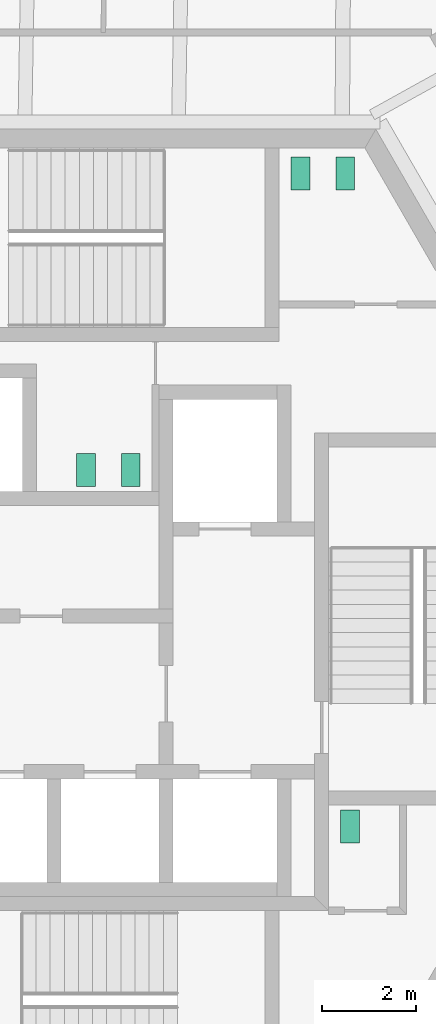
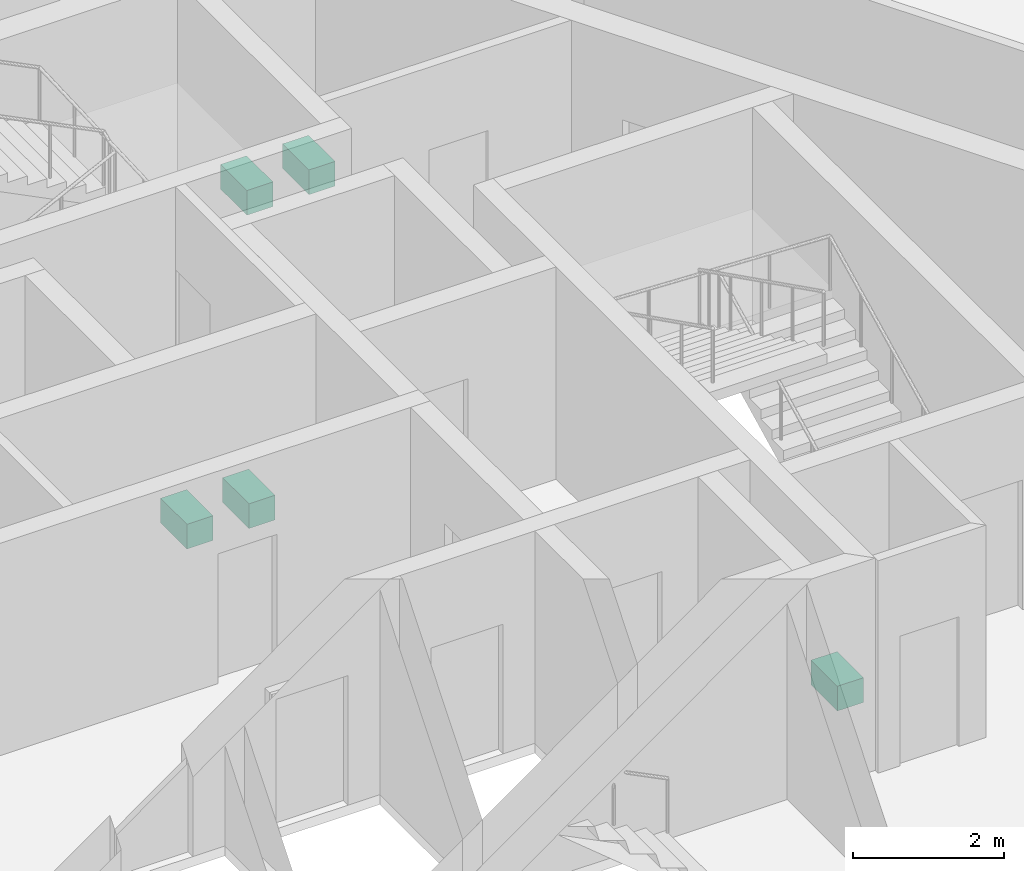
# One storey, part 16 of 18: 5 sanitary terminals.
"""IFC4 building model written with IfcOpenShell, lengths in metres."""

from ifc_helpers import new_model, si_unit, direction, frame, origin, origin_2d, place, context, subcontext, project, spatial, rectangle, extrude, source, transform, mapped, material, element, save


model = new_model("IFC4")

# Units and contexts
model_context = context("Model", 3, precision=1e-05, world=origin(), true_north=direction((0.0, 1.0)))
body_context = subcontext(model_context, "Body", "Model", "MODEL_VIEW")
ifc_project = project(units=[si_unit("LENGTHUNIT", "METRE"), si_unit("AREAUNIT", "SQUARE_METRE"), si_unit("VOLUMEUNIT", "CUBIC_METRE"), si_unit("PLANEANGLEUNIT", "RADIAN"), si_unit("MASSUNIT", "GRAM", prefix="KILO")], contexts=[model_context])

# Site, building, storey
site_placement = place(None, origin())
site = spatial("IfcSite", under=ifc_project, at=site_placement, CompositionType="ELEMENT")
building_placement = place(site_placement, origin())
building = spatial("IfcBuilding", under=site, at=building_placement, Name="Triune Harvest Tower", CompositionType="ELEMENT")
storey_placement = place(building_placement, frame((0.0, 0.0, 190.699951171875)))
storey = spatial("IfcBuildingStorey", under=building, at=storey_placement, Name="L49", CompositionType="ELEMENT", Elevation=190.699951171875)

# Sanitary terminals
ifc_material = material(Name="Vitreous china")
shared_shape = source(origin(), body_context, "Body", "SweptSolid", [
    extrude(rectangle(XDim=0.39990234375, YDim=0.699951171875, at=origin_2d()), origin(), (0.0, 0.0, 1.0), 0.39990234375),
])
for number, where, z_axis, x_axis, name in (
    (1, (4.39990234375, 9.449951171875, 0.0), (0.0, 0.0, 1.0), (1.0, 0.0, 0.0), "Toilet pan L49.c01"),
    (2, (5.35009765625, 9.449951171875, 0.0), (0.0, 0.0, 1.0), (1.0, 0.0, 0.0), "Toilet pan L49.c02"),
    (3, (0.800048828125, 3.159912109375, 0.0), (0.0, 0.0, 1.0), (-1.0, 0.0, 0.0), "Toilet pan L49.c03"),
    (4, (-0.14990234375, 3.159912109375, 0.0), (0.0, 0.0, 1.0), (-1.0, 0.0, 0.0), "Toilet pan L49.c04"),
    (5, (5.449951171875, -4.39990234375, 0.0), (0.0, 0.0, 1.0), (1.0, 0.0, 0.0), "Toilet pan L49.c05"),
):
    element("IfcSanitaryTerminal", number, at=place(storey_placement, frame(where, z_axis=z_axis, x_axis=x_axis)), inside=storey, material=ifc_material, Name=name, PredefinedType="TOILETPAN", context=body_context, shape_type="MappedRepresentation", body=[
        mapped(shared_shape, transform((0.0, 0.0, 0.0), scale=1.0)),
    ])

save(model, "model.ifc")
